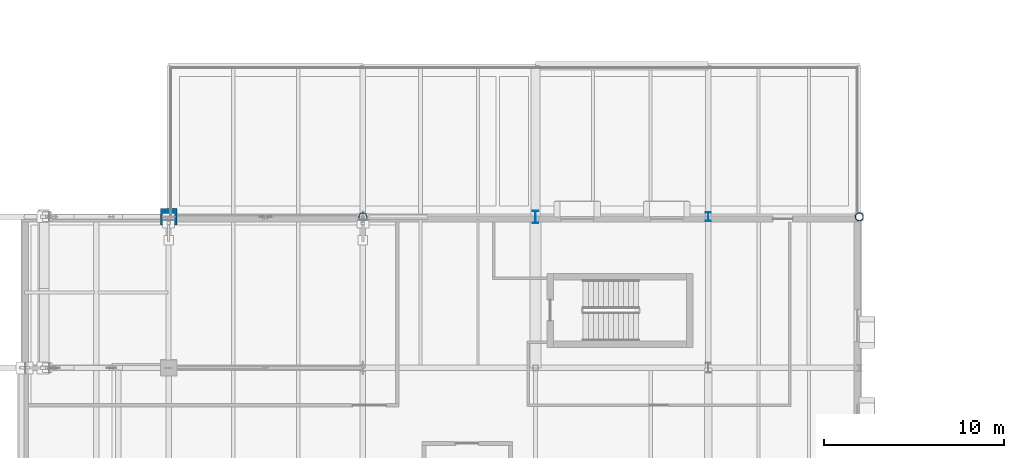
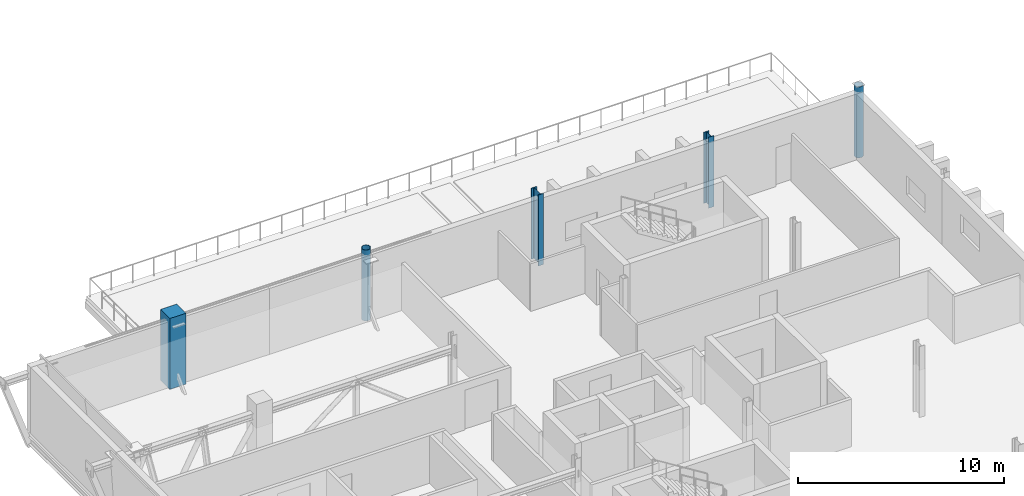
# One storey, part 2 of 57: 5 columns.
"""IFC4 building model written with IfcOpenShell, lengths in metres."""

from ifc_helpers import new_model, si_unit, direction, frame, origin, origin_2d, place, context, subcontext, project, spatial, rectangle, hollow_circle, i_section, extrude, material, material_profile, profile_set, type_object, element, save


model = new_model("IFC4")

# Units and contexts
model_context = context("Model", 3, precision=1e-05, world=origin(), true_north=direction((0.0, 1.0)))
body_context = subcontext(model_context, "Body", "Model", "MODEL_VIEW")
ifc_project = project(units=[si_unit("LENGTHUNIT", "METRE"), si_unit("AREAUNIT", "SQUARE_METRE"), si_unit("VOLUMEUNIT", "CUBIC_METRE"), si_unit("PLANEANGLEUNIT", "RADIAN"), si_unit("MASSUNIT", "GRAM", prefix="KILO")], contexts=[model_context])

# Site, building, storey
site_placement = place(None, origin())
site = spatial("IfcSite", under=ifc_project, at=site_placement, CompositionType="ELEMENT")
building_placement = place(site_placement, origin())
building = spatial("IfcBuilding", under=site, at=building_placement, Name="Zereglee Splitstone Museum", CompositionType="ELEMENT")
storey_placement = place(building_placement, frame((0.0, 0.0, 17.10009765625)))
storey = spatial("IfcBuildingStorey", under=building, at=storey_placement, Name="L03", CompositionType="ELEMENT", Elevation=17.10009765625)

# Columns
ifc_material_1 = material(Name="Concrete C45/55", Category="concrete")
ifc_material_profile_1 = material_profile(ifc_material_1, rectangle(XDim=0.89990234375, YDim=0.89990234375, at=origin_2d()), Name="RC 900x900")
ifc_profile_set_1 = profile_set([ifc_material_profile_1], Name="Concrete C45/55")
column_type_1 = type_object("IfcColumnType", Name="C-03", PredefinedType="COLUMN", material=ifc_profile_set_1)
column_1_placement = place(storey_placement, frame((9.60009765625, 30.0, 0.0), z_axis=(0.0, 0.0, 1.0), x_axis=(1.0, 0.0, 0.0)))
element("IfcColumn", 1, at=column_1_placement, inside=storey, type_object=column_type_1, Name="Column 2/D L03", PredefinedType="COLUMN", context=body_context, shape_type="SweptSolid", body=[
    extrude(rectangle(XDim=0.89990234375, YDim=0.89990234375, at=origin_2d()), origin(), (0.0, 0.0, 1.0), 4.199951171875),
])
ifc_material_2 = material(Name="Steel S355J2H", Category="steel")
ifc_material_profile_2 = material_profile(ifc_material_2, hollow_circle(Radius=0.228515625, WallThickness=0.02001953125, at=origin_2d()), Name="CHS 457.0x20")
ifc_profile_set_2 = profile_set([ifc_material_profile_2], Name="Steel S355J2H")
column_type_2 = type_object("IfcColumnType", Name="C-17", PredefinedType="COLUMN", material=ifc_profile_set_2)
for number, where, z_axis, x_axis, name in (
    (2, (20.39990234375, 30.0, 0.0), (0.0, 0.0, 1.0), (1.0, 0.0, 0.0), "Column 4/D L03"),
    (3, (48.0, 30.0, 0.0), (0.0, 0.0, 1.0), (1.0, 0.0, 0.0), "Column 7/D L03"),
):
    element("IfcColumn", number, at=place(storey_placement, frame(where, z_axis=z_axis, x_axis=x_axis)), inside=storey, type_object=column_type_2, Name=name, PredefinedType="COLUMN", context=body_context, shape_type="SweptSolid", body=[
        extrude(hollow_circle(Radius=0.228515625, WallThickness=0.02001953125, at=origin_2d()), origin(), (0.0, 0.0, 1.0), 4.199951171875),
    ])
ifc_material_3 = material(Name="Steel S355J2", Category="steel")
ifc_material_profile_3 = material_profile(ifc_material_3, i_section(OverallWidth=0.300048828125, OverallDepth=0.5, WebThickness=0.014404296875, FlangeThickness=0.028076171875, FilletRadius=0.027099609375, at=origin_2d()), Name="HE 500 B")
ifc_profile_set_3 = profile_set([ifc_material_profile_3], Name="Steel S355J2")
column_type_3 = type_object("IfcColumnType", Name="C-13", PredefinedType="COLUMN", material=ifc_profile_set_3)
column_2_placement = place(storey_placement, frame((39.60009765625, 30.0, 0.0), z_axis=(0.0, 0.0, 1.0), x_axis=(1.0, 0.0, 0.0)))
element("IfcColumn", 4, at=column_2_placement, inside=storey, type_object=column_type_3, Name="Column 6/D L03", PredefinedType="COLUMN", context=body_context, shape_type="SweptSolid", body=[
    extrude(i_section(OverallWidth=0.300048828125, OverallDepth=0.5, WebThickness=0.014404296875, FlangeThickness=0.028076171875, FilletRadius=0.027099609375, at=origin_2d()), origin(), (0.0, 0.0, 1.0), 4.199951171875),
])
ifc_material_profile_4 = material_profile(ifc_material_3, i_section(OverallWidth=0.300048828125, OverallDepth=0.699951171875, WebThickness=0.01708984375, FlangeThickness=0.031982421875, FilletRadius=0.027099609375, at=origin_2d()), Name="HE 700 B")
ifc_profile_set_4 = profile_set([ifc_material_profile_4], Name="Steel S355J2")
column_type_4 = type_object("IfcColumnType", Name="C-09", PredefinedType="COLUMN", material=ifc_profile_set_4)
column_3_placement = place(storey_placement, frame((30.0, 30.0, 0.0), z_axis=(0.0, 0.0, 1.0), x_axis=(1.0, 0.0, 0.0)))
element("IfcColumn", 5, at=column_3_placement, inside=storey, type_object=column_type_4, Name="Column 5/D L03", PredefinedType="COLUMN", context=body_context, shape_type="SweptSolid", body=[
    extrude(i_section(OverallWidth=0.300048828125, OverallDepth=0.699951171875, WebThickness=0.01708984375, FlangeThickness=0.031982421875, FilletRadius=0.027099609375, at=origin_2d()), origin(), (0.0, 0.0, 1.0), 4.199951171875),
])

save(model, "model.ifc")
